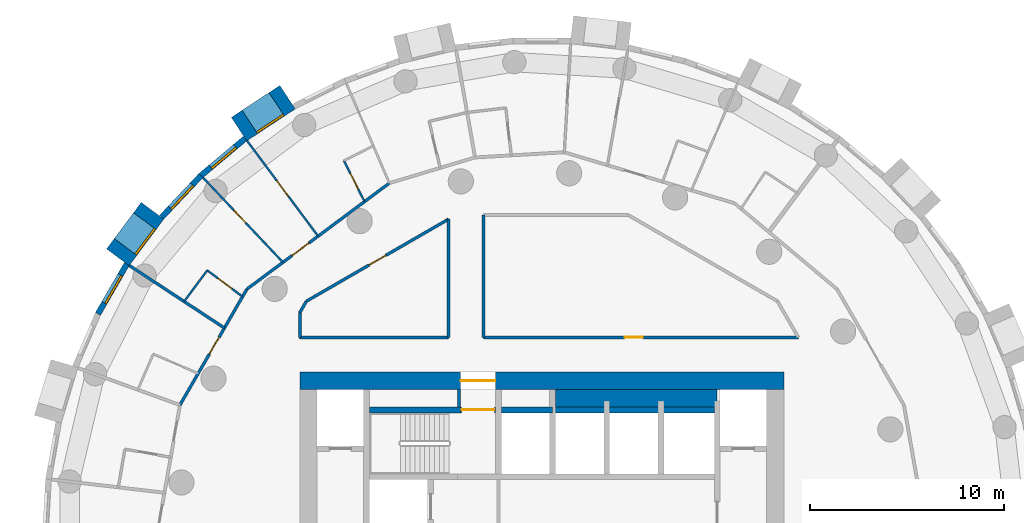
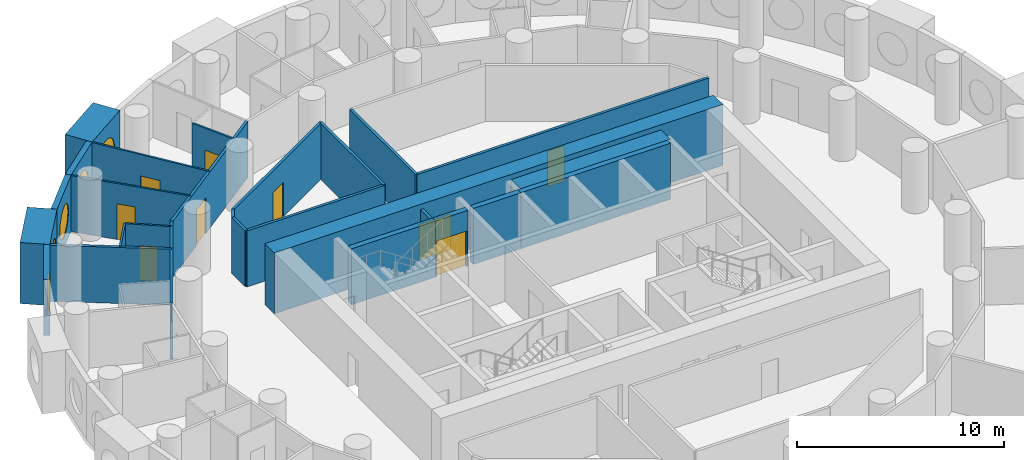
# One storey, part 6 of 10: 27 walls, 10 doors, 5 windows, 15 openings.
"""IFC4 building model written with IfcOpenShell, lengths in metres."""

from ifc_helpers import new_model, si_unit, direction, frame, frame_2d, origin, origin_2d, place, context, subcontext, project, spatial, rectangle, circle, extrude, material, layer, layer_set, type_object, element, fill, save


model = new_model("IFC4")

# Units and contexts
model_context = context("Model", 3, precision=1e-05, world=origin(), true_north=direction((0.0, 1.0)))
body_context = subcontext(model_context, "Body", "Model", "MODEL_VIEW")
ifc_project = project(units=[si_unit("LENGTHUNIT", "METRE"), si_unit("AREAUNIT", "SQUARE_METRE"), si_unit("VOLUMEUNIT", "CUBIC_METRE"), si_unit("PLANEANGLEUNIT", "RADIAN"), si_unit("MASSUNIT", "GRAM", prefix="KILO")], contexts=[model_context])

# Site, building, storey
site_placement = place(None, origin())
site = spatial("IfcSite", under=ifc_project, at=site_placement, CompositionType="ELEMENT")
building_placement = place(site_placement, origin())
building = spatial("IfcBuilding", under=site, at=building_placement, Name="Tracery Tower", CompositionType="ELEMENT")
storey_placement = place(building_placement, frame((0.0, 0.0, 144.0)))
storey = spatial("IfcBuildingStorey", under=building, at=storey_placement, Name="L36", CompositionType="ELEMENT", Elevation=144.0)

# Walls
ifc_material_1 = material(Name="Plasterboard on steel studs", Category="steel")
ifc_layer_1 = layer(ifc_material_1, 0.14990234375)
ifc_layer_set_1 = layer_set([ifc_layer_1], Name="Core room partition 150")
wall_type_1 = type_object("IfcWallType", Name="Core room partition 150", PredefinedType="SOLIDWALL", material=ifc_layer_set_1)
wall_1_placement = place(storey_placement, frame((-4.27490234375, 6.699951171875, 0.0), z_axis=(0.0, 0.0, 1.0), x_axis=(0.0, 1.0, 0.0)))
element("IfcWall", 1, at=wall_1_placement, inside=storey, type_object=wall_type_1, Name="L36 F N room", PredefinedType="SOLIDWALL", context=body_context, shape_type="SweptSolid", body=[
    extrude(rectangle(XDim=0.900146484375, YDim=0.14990234375, at=frame_2d((0.4501953125, 0.0))), origin(), (0.0, 0.0, 1.0), 3.300048828125),
])
ifc_material_2 = material(Name="Concrete C50/60", Category="concrete")
ifc_layer_2 = layer(ifc_material_2, 0.89990234375)
ifc_layer_set_2 = layer_set([ifc_layer_2], Name="Core strip wall 900 C50")
wall_type_2 = type_object("IfcWallType", Name="Core strip wall 900 C50", PredefinedType="SOLIDWALL", material=ifc_layer_set_2)
wall_2_placement = place(storey_placement, frame((0.699951171875, 7.14990234375, 0.0), z_axis=(0.0, 0.0, 1.0), x_axis=(1.0, 0.0, 0.0)))
element("IfcWall", 2, at=wall_2_placement, inside=storey, type_object=wall_type_2, Name="L36 F thick N E", PredefinedType="SOLIDWALL", context=body_context, shape_type="SweptSolid", body=[
    extrude(rectangle(XDim=8.35009765625, YDim=0.89990234375, at=frame_2d((4.175048828125, 0.0))), origin(), (0.0, 0.0, 1.0), 3.300048828125),
])

# Wall, opening, door
ifc_material_3 = material(Name="Concrete C50/60", Category="concrete")
ifc_layer_3 = layer(ifc_material_3, 0.89990234375)
ifc_layer_set_3 = layer_set([ifc_layer_3], Name="Core wall 900 C50")
wall_type_3 = type_object("IfcWallType", Name="Core wall 900 C50", PredefinedType="SOLIDWALL", material=ifc_layer_set_3)
wall_3_placement = place(storey_placement, frame((-12.5, 8.050048828125, 0.0), z_axis=(0.0, 0.0, 1.0), x_axis=(1.0, 0.0, 0.0)))
wall_3 = element("IfcWall", 3, at=wall_3_placement, inside=storey, type_object=wall_type_3, Name="L36 outer N", PredefinedType="SOLIDWALL", context=body_context, shape_type="SweptSolid", body=[
    extrude(rectangle(XDim=25.0, YDim=0.89990234375, at=frame_2d((12.5, 0.0))), origin(), (0.0, 0.0, 1.0), 3.60009765625),
])
opening_1_placement = place(wall_3_placement, frame((8.300048828125, 0.0, 0.0)))
opening_1 = element("IfcOpeningElement", 4, at=opening_1_placement, cuts=wall_3, Name="Opening KD13", PredefinedType="OPENING", context=body_context, shape_type="SweptSolid", body=[
    extrude(rectangle(XDim=1.800048828125, YDim=2.10009765625, at=frame_2d((0.89990234375, 1.050048828125))), frame((0.0, 0.449951171875, 0.0), z_axis=(0.0, -1.0, 0.0), x_axis=(1.0, 0.0, 0.0)), (0.0, 0.0, 1.0), 0.89990234375),
])
ifc_material_4 = material(Name="Steel fire door", Category="steel")
door_type_1 = type_object("IfcDoorType", Name="Core exit door 1800 double", OperationType="NOTDEFINED", PredefinedType="DOOR", material=ifc_material_4)
door_1_placement = place(opening_1_placement, origin())
door_1 = element("IfcDoor", 5, at=door_1_placement, inside=storey, type_object=door_type_1, Name="Core exit door", OperationType="DOUBLE_DOOR_SINGLE_SWING", OverallHeight=2.10009765625, OverallWidth=1.800048828125, PredefinedType="DOOR", context=body_context, shape_type="SweptSolid", body=[
    extrude(rectangle(XDim=1.800048828125, YDim=2.10009765625, at=frame_2d((0.89990234375, 1.050048828125))), frame((0.0, 0.02490234375, 0.0), z_axis=(0.0, -1.0, 0.0), x_axis=(1.0, 0.0, 0.0)), (0.0, 0.0, 1.0), 0.050048828125),
])
fill(opening_1, door_1)

# Wall, opening, window
ifc_material_5 = material(Name="Precast concrete C50/60", Category="concrete")
ifc_layer_4 = layer(ifc_material_5, 1.449951171875)
ifc_layer_set_4 = layer_set([ifc_layer_4], Name="Deep-set bay unit 3000 x 3600, slab edge 300")
wall_type_4 = type_object("IfcWallType", Name="Deep-set bay unit 3000 x 3600, slab edge 300", PredefinedType="ELEMENTEDWALL", material=ifc_layer_set_4)
wall_4_placement = place(storey_placement, frame((-13.13232421875, 22.696533203125, -0.300048828125), z_axis=(0.0, 0.0, 1.0), x_axis=(-0.835514416706, -0.549468524554, 0.0)))
wall_4 = element("IfcWall", 6, at=wall_4_placement, inside=storey, type_object=wall_type_4, Name="Deep-set bay unit 19 at L36", PredefinedType="ELEMENTEDWALL", context=body_context, shape_type="SweptSolid", body=[
    extrude(rectangle(XDim=3.0, YDim=1.449951171875, at=frame_2d((1.5, 0.0))), origin(), (0.0, 0.0, 1.0), 3.60009765625),
])
opening_2_placement = place(wall_4_placement, frame((1.5, 0.0, 1.85009765625)))
opening_2 = element("IfcOpeningElement", 7, at=opening_2_placement, cuts=wall_4, Name="Opening WN1", PredefinedType="OPENING", context=body_context, shape_type="SweptSolid", body=[
    extrude(circle(Radius=0.9000244140625, at=origin_2d()), frame((0.0, 0.73486328125, 0.0), z_axis=(0.0, -1.0, 0.0), x_axis=(1.0, 0.0, 0.0)), (0.0, 0.0, 1.0), 1.469970703125),
])
ifc_material_6 = material(Name="Aluminium frame with tinted double glazing", Category="aluminium")
window_type = type_object("IfcWindowType", Name="Round window 1800", PartitioningType="SINGLE_PANEL", PredefinedType="WINDOW", material=ifc_material_6)
window_1_placement = place(opening_2_placement, origin())
window_1 = element("IfcWindow", 8, at=window_1_placement, inside=storey, type_object=window_type, Name="Round window 19 at L36", OverallHeight=1.800048828125, OverallWidth=1.800048828125, PartitioningType="SINGLE_PANEL", PredefinedType="WINDOW", context=body_context, shape_type="SweptSolid", body=[
    extrude(circle(Radius=0.9000244140625, at=origin_2d()), frame((0.0, 0.69482421875, 0.0), z_axis=(0.0, -1.0, 0.0), x_axis=(1.0, 0.0, 0.0)), (0.0, 0.0, 1.0), 0.10009765625),
])
fill(opening_2, window_1)

wall_5_placement = place(storey_placement, frame((-20.10302734375, 16.836181640625, -0.300048828125), z_axis=(0.0, 0.0, 1.0), x_axis=(-0.597183717734, -0.802104486506, 0.0)))
wall_5 = element("IfcWall", 9, at=wall_5_placement, inside=storey, type_object=wall_type_4, Name="Deep-set bay unit 22 at L36", PredefinedType="ELEMENTEDWALL", context=body_context, shape_type="SweptSolid", body=[
    extrude(rectangle(XDim=3.0, YDim=1.449951171875, at=frame_2d((1.5, 0.0))), origin(), (0.0, 0.0, 1.0), 3.60009765625),
])
opening_3_placement = place(wall_5_placement, frame((1.5, 0.0, 1.85009765625)))
opening_3 = element("IfcOpeningElement", 10, at=opening_3_placement, cuts=wall_5, Name="Opening WN1", PredefinedType="OPENING", context=body_context, shape_type="SweptSolid", body=[
    extrude(circle(Radius=0.9000244140625, at=origin_2d()), frame((0.0, 0.73486328125, 0.0), z_axis=(0.0, -1.0, 0.0), x_axis=(1.0, 0.0, 0.0)), (0.0, 0.0, 1.0), 1.469970703125),
])
window_2_placement = place(opening_3_placement, origin())
window_2 = element("IfcWindow", 11, at=window_2_placement, inside=storey, type_object=window_type, Name="Round window 22 at L36", OverallHeight=1.800048828125, OverallWidth=1.800048828125, PartitioningType="SINGLE_PANEL", PredefinedType="WINDOW", context=body_context, shape_type="SweptSolid", body=[
    extrude(circle(Radius=0.9000244140625, at=origin_2d()), frame((0.0, 0.69482421875, 0.0), z_axis=(0.0, -1.0, 0.0), x_axis=(1.0, 0.0, 0.0)), (0.0, 0.0, 1.0), 0.10009765625),
])
fill(opening_3, window_2)

ifc_material_7 = material(Name="Precast concrete C50/60", Category="concrete")
ifc_layer_5 = layer(ifc_material_7, 0.300048828125)
ifc_layer_set_5 = layer_set([ifc_layer_5], Name="Facade panel 3000 x 3300")
wall_type_5 = type_object("IfcWallType", Name="Facade panel 3000 x 3300", PredefinedType="SOLIDWALL", material=ifc_layer_set_5)
wall_6_placement = place(storey_placement, frame((-15.322998046875, 20.566162109375, 0.0), z_axis=(0.0, 0.0, 1.0), x_axis=(-0.766049350637, -0.642781761089, 0.0)))
wall_6 = element("IfcWall", 12, at=wall_6_placement, inside=storey, type_object=wall_type_5, Name="Facade panel 20 at L36", PredefinedType="SOLIDWALL", context=body_context, shape_type="SweptSolid", body=[
    extrude(rectangle(XDim=2.972900390625, YDim=0.300048828125, at=frame_2d((1.486328125, 0.0))), origin(), (0.0, 0.0, 1.0), 3.300048828125),
])
opening_4_placement = place(wall_6_placement, frame((1.486328125, 0.0, 1.5498046875)))
opening_4 = element("IfcOpeningElement", 13, at=opening_4_placement, cuts=wall_6, Name="Opening WN1", PredefinedType="OPENING", context=body_context, shape_type="SweptSolid", body=[
    extrude(circle(Radius=0.9000244140625, at=origin_2d()), frame((0.0, 0.159912109375, 0.0), z_axis=(0.0, -1.0, 0.0), x_axis=(1.0, 0.0, 0.0)), (0.0, 0.0, 1.0), 0.320068359375),
])
window_3_placement = place(opening_4_placement, origin())
window_3 = element("IfcWindow", 14, at=window_3_placement, inside=storey, type_object=window_type, Name="Round window 20 at L36", OverallHeight=1.800048828125, OverallWidth=1.800048828125, PartitioningType="SINGLE_PANEL", PredefinedType="WINDOW", context=body_context, shape_type="SweptSolid", body=[
    extrude(circle(Radius=0.9000244140625, at=origin_2d()), frame((0.0, 0.1201171875, 0.0), z_axis=(0.0, -1.0, 0.0), x_axis=(1.0, 0.0, 0.0)), (0.0, 0.0, 1.0), 0.10009765625),
])
fill(opening_4, window_3)

wall_7_placement = place(storey_placement, frame((-17.600341796875, 18.6552734375, 0.0), z_axis=(0.0, 0.0, 1.0), x_axis=(-0.686235184166, -0.727379730273, 0.0)))
wall_7 = element("IfcWall", 15, at=wall_7_placement, inside=storey, type_object=wall_type_5, Name="Facade panel 21 at L36", PredefinedType="SOLIDWALL", context=body_context, shape_type="SweptSolid", body=[
    extrude(rectangle(XDim=2.972900390625, YDim=0.300048828125, at=frame_2d((1.486328125, 0.0))), origin(), (0.0, 0.0, 1.0), 3.300048828125),
])
opening_5_placement = place(wall_7_placement, frame((1.486328125, 0.0, 1.5498046875)))
opening_5 = element("IfcOpeningElement", 16, at=opening_5_placement, cuts=wall_7, Name="Opening WN1", PredefinedType="OPENING", context=body_context, shape_type="SweptSolid", body=[
    extrude(circle(Radius=0.9000244140625, at=origin_2d()), frame((0.0, 0.159912109375, 0.0), z_axis=(0.0, -1.0, 0.0), x_axis=(1.0, 0.0, 0.0)), (0.0, 0.0, 1.0), 0.320068359375),
])
window_4_placement = place(opening_5_placement, origin())
window_4 = element("IfcWindow", 17, at=window_4_placement, inside=storey, type_object=window_type, Name="Round window 21 at L36", OverallHeight=1.800048828125, OverallWidth=1.800048828125, PartitioningType="SINGLE_PANEL", PredefinedType="WINDOW", context=body_context, shape_type="SweptSolid", body=[
    extrude(circle(Radius=0.9000244140625, at=origin_2d()), frame((0.0, 0.1201171875, 0.0), z_axis=(0.0, -1.0, 0.0), x_axis=(1.0, 0.0, 0.0)), (0.0, 0.0, 1.0), 0.10009765625),
])
fill(opening_5, window_4)

wall_8_placement = place(storey_placement, frame((-21.432861328125, 14.085205078125, 0.0), z_axis=(0.0, 0.0, 1.0), x_axis=(-0.500016263033, -0.866016014115, 0.0)))
wall_8 = element("IfcWall", 18, at=wall_8_placement, inside=storey, type_object=wall_type_5, Name="Facade panel 23 at L36", PredefinedType="SOLIDWALL", context=body_context, shape_type="SweptSolid", body=[
    extrude(rectangle(XDim=2.97314453125, YDim=0.300048828125, at=frame_2d((1.486572265625, 0.0))), origin(), (0.0, 0.0, 1.0), 3.300048828125),
])
opening_6_placement = place(wall_8_placement, frame((1.486328125, 0.0, 1.5498046875)))
opening_6 = element("IfcOpeningElement", 19, at=opening_6_placement, cuts=wall_8, Name="Opening WN1", PredefinedType="OPENING", context=body_context, shape_type="SweptSolid", body=[
    extrude(circle(Radius=0.9000244140625, at=origin_2d()), frame((0.0, 0.159912109375, 0.0), z_axis=(0.0, -1.0, 0.0), x_axis=(1.0, 0.0, 0.0)), (0.0, 0.0, 1.0), 0.320068359375),
])
window_5_placement = place(opening_6_placement, origin())
window_5 = element("IfcWindow", 20, at=window_5_placement, inside=storey, type_object=window_type, Name="Round window 23 at L36", OverallHeight=1.800048828125, OverallWidth=1.800048828125, PartitioningType="SINGLE_PANEL", PredefinedType="WINDOW", context=body_context, shape_type="SweptSolid", body=[
    extrude(circle(Radius=0.9000244140625, at=origin_2d()), frame((0.0, 0.1201171875, 0.0), z_axis=(0.0, -1.0, 0.0), x_axis=(1.0, 0.0, 0.0)), (0.0, 0.0, 1.0), 0.10009765625),
])
fill(opening_6, window_5)

# Wall, opening, door
ifc_material_8 = material(Name="Plasterboard on steel studs", Category="steel")
ifc_layer_6 = layer(ifc_material_8, 0.10009765625)
ifc_layer_set_6 = layer_set([ifc_layer_6], Name="Partition 100 stud")
wall_type_6 = type_object("IfcWallType", Name="Partition 100 stud", PredefinedType="PARTITIONING", material=ifc_layer_set_6)
wall_9_placement = place(storey_placement, frame((-15.22607421875, 20.451904296875, 0.0), z_axis=(0.0, 0.0, 1.0), x_axis=(0.597155230642, -0.802125694961, 0.0)))
wall_9 = element("IfcWall", 21, at=wall_9_placement, inside=storey, type_object=wall_type_6, Name="Stud partition RB2-053", PredefinedType="PARTITIONING", context=body_context, shape_type="SweptSolid", body=[
    extrude(rectangle(XDim=6.14599609375, YDim=0.10009765625, at=frame_2d((3.072998046875, 0.0))), origin(), (0.0, 0.0, 1.0), 3.300048828125),
])
opening_7_placement = place(wall_9_placement, frame((2.572998046875, 0.0, 0.0)))
opening_7 = element("IfcOpeningElement", 22, at=opening_7_placement, cuts=wall_9, Name="Opening RB2-14", PredefinedType="OPENING", context=body_context, shape_type="SweptSolid", body=[
    extrude(rectangle(XDim=1.0, YDim=2.0400390625, at=frame_2d((0.5, 1.02001953125))), frame((0.0, 0.050048828125, 0.0), z_axis=(0.0, -1.0, 0.0), x_axis=(1.0, 0.0, 0.0)), (0.0, 0.0, 1.0), 0.10009765625),
])
ifc_material_9 = material(Name="Timber door leaf", Category="wood")
door_type_2 = type_object("IfcDoorType", Name="Door communal room 1000", OperationType="NOTDEFINED", PredefinedType="DOOR", material=ifc_material_9)
door_2_placement = place(opening_7_placement, origin())
door_2 = element("IfcDoor", 23, at=door_2_placement, inside=storey, type_object=door_type_2, Name="Communal room door RB2-14", OperationType="SINGLE_SWING_LEFT", OverallHeight=2.0400390625, OverallWidth=1.0, PredefinedType="DOOR", context=body_context, shape_type="SweptSolid", body=[
    extrude(rectangle(XDim=1.0, YDim=2.0400390625, at=frame_2d((0.5, 1.02001953125))), frame((0.0, 0.02490234375, 0.0), z_axis=(0.0, -1.0, 0.0), x_axis=(1.0, 0.0, 0.0)), (0.0, 0.0, 1.0), 0.050048828125),
])
fill(opening_7, door_2)

wall_10_placement = place(storey_placement, frame((-17.4970703125, 18.5458984375, 0.0), z_axis=(0.0, 0.0, 1.0), x_axis=(0.68628608304, -0.72733170715, 0.0)))
wall_10 = element("IfcWall", 24, at=wall_10_placement, inside=storey, type_object=wall_type_6, Name="Stud partition RB2-057", PredefinedType="PARTITIONING", context=body_context, shape_type="SweptSolid", body=[
    extrude(rectangle(XDim=6.013427734375, YDim=0.10009765625, at=frame_2d((3.0068359375, 0.0))), origin(), (0.0, 0.0, 1.0), 3.300048828125),
])
opening_8_placement = place(wall_10_placement, frame((2.32080078125, 0.0, 0.0)))
opening_8 = element("IfcOpeningElement", 25, at=opening_8_placement, cuts=wall_10, Name="Opening RB2-18", PredefinedType="OPENING", context=body_context, shape_type="SweptSolid", body=[
    extrude(rectangle(XDim=0.89990234375, YDim=2.10009765625, at=frame_2d((0.449951171875, 1.050048828125))), frame((0.0, 0.050048828125, 0.0), z_axis=(0.0, -1.0, 0.0), x_axis=(1.0, 0.0, 0.0)), (0.0, 0.0, 1.0), 0.10009765625),
])
ifc_material_10 = material(Name="Timber door leaf", Category="wood")
door_type_3 = type_object("IfcDoorType", Name="Door bedroom 900", OperationType="NOTDEFINED", PredefinedType="DOOR", material=ifc_material_10)
door_3_placement = place(opening_8_placement, origin())
door_3 = element("IfcDoor", 26, at=door_3_placement, inside=storey, type_object=door_type_3, Name="Bedroom door RB2-18", OperationType="SINGLE_SWING_RIGHT", OverallHeight=2.10009765625, OverallWidth=0.89990234375, PredefinedType="DOOR", context=body_context, shape_type="SweptSolid", body=[
    extrude(rectangle(XDim=0.89990234375, YDim=2.10009765625, at=frame_2d((0.449951171875, 1.050048828125))), frame((0.0, 0.02490234375, 0.0), z_axis=(0.0, -1.0, 0.0), x_axis=(1.0, 0.0, 0.0)), (0.0, 0.0, 1.0), 0.050048828125),
])
fill(opening_8, door_3)

ifc_material_11 = material(Name="Plasterboard on steel studs", Category="steel")
ifc_layer_7 = layer(ifc_material_11, 0.10009765625)
ifc_layer_set_7 = layer_set([ifc_layer_7], Name="Partition 100 wet wall")
wall_type_7 = type_object("IfcWallType", Name="Partition 100 wet wall", PredefinedType="PARTITIONING", material=ifc_layer_set_7)
wall_11_placement = place(storey_placement, frame((-10.221923828125, 19.423095703125, 0.0), z_axis=(0.0, 0.0, 1.0), x_axis=(0.448862306063, -0.893600934532, 0.0)))
wall_11 = element("IfcWall", 27, at=wall_11_placement, inside=storey, type_object=wall_type_7, Name="Wet wall RB2-055", PredefinedType="PARTITIONING", context=body_context, shape_type="SweptSolid", body=[
    extrude(rectangle(XDim=2.3681640625, YDim=0.10009765625, at=frame_2d((1.18408203125, 0.0))), origin(), (0.0, 0.0, 1.0), 3.300048828125),
])
opening_9_placement = place(wall_11_placement, frame((0.73388671875, 0.0, 0.0)))
opening_9 = element("IfcOpeningElement", 28, at=opening_9_placement, cuts=wall_11, Name="Opening RB2-15", PredefinedType="OPENING", context=body_context, shape_type="SweptSolid", body=[
    extrude(rectangle(XDim=0.89990234375, YDim=2.0, at=frame_2d((0.449951171875, 1.0))), frame((0.0, 0.050048828125, 0.0), z_axis=(0.0, -1.0, 0.0), x_axis=(1.0, 0.0, 0.0)), (0.0, 0.0, 1.0), 0.10009765625),
])
ifc_material_12 = material(Name="Timber door leaf", Category="wood")
door_type_4 = type_object("IfcDoorType", Name="Door shower room 900", OperationType="NOTDEFINED", PredefinedType="DOOR", material=ifc_material_12)
door_4_placement = place(opening_9_placement, origin())
door_4 = element("IfcDoor", 29, at=door_4_placement, inside=storey, type_object=door_type_4, Name="Shower room door RB2-15", OperationType="SINGLE_SWING_LEFT", OverallHeight=2.0, OverallWidth=0.89990234375, PredefinedType="DOOR", context=body_context, shape_type="SweptSolid", body=[
    extrude(rectangle(XDim=0.89990234375, YDim=2.0, at=frame_2d((0.449951171875, 1.0))), frame((0.0, 0.02490234375, 0.0), z_axis=(0.0, -1.0, 0.0), x_axis=(1.0, 0.0, 0.0)), (0.0, 0.0, 1.0), 0.050048828125),
])
fill(opening_9, door_4)

wall_12_placement = place(storey_placement, frame((-17.278076171875, 13.757080078125, 0.0), z_axis=(0.0, 0.0, 1.0), x_axis=(0.802174554185, -0.597089595135, 0.0)))
wall_12 = element("IfcWall", 30, at=wall_12_placement, inside=storey, type_object=wall_type_7, Name="Wet wall RB2-061", PredefinedType="PARTITIONING", context=body_context, shape_type="SweptSolid", body=[
    extrude(rectangle(XDim=2.271240234375, YDim=0.10009765625, at=frame_2d((1.1357421875, 0.0))), origin(), (0.0, 0.0, 1.0), 3.300048828125),
])
opening_10_placement = place(wall_12_placement, frame((0.685302734375, 0.0, 0.0)))
opening_10 = element("IfcOpeningElement", 31, at=opening_10_placement, cuts=wall_12, Name="Opening RB2-19", PredefinedType="OPENING", context=body_context, shape_type="SweptSolid", body=[
    extrude(rectangle(XDim=0.89990234375, YDim=2.0400390625, at=frame_2d((0.449951171875, 1.02001953125))), frame((0.0, 0.050048828125, 0.0), z_axis=(0.0, -1.0, 0.0), x_axis=(1.0, 0.0, 0.0)), (0.0, 0.0, 1.0), 0.10009765625),
])
ifc_material_13 = material(Name="Timber door leaf", Category="wood")
door_type_5 = type_object("IfcDoorType", Name="Door en-suite 900", OperationType="NOTDEFINED", PredefinedType="DOOR", material=ifc_material_13)
door_5_placement = place(opening_10_placement, origin())
door_5 = element("IfcDoor", 32, at=door_5_placement, inside=storey, type_object=door_type_5, Name="En-suite door RB2-19", OperationType="SINGLE_SWING_RIGHT", OverallHeight=2.0400390625, OverallWidth=0.89990234375, PredefinedType="DOOR", context=body_context, shape_type="SweptSolid", body=[
    extrude(rectangle(XDim=0.89990234375, YDim=2.0400390625, at=frame_2d((0.449951171875, 1.02001953125))), frame((0.0, 0.02490234375, 0.0), z_axis=(0.0, -1.0, 0.0), x_axis=(1.0, 0.0, 0.0)), (0.0, 0.0, 1.0), 0.050048828125),
])
fill(opening_10, door_5)

# Walls
wall_13_placement = place(storey_placement, frame((-18.47412109375, 12.15087890625, 0.0), z_axis=(0.0, 0.0, 1.0), x_axis=(0.597246123016, 0.802058020683, 0.0)))
element("IfcWall", 33, at=wall_13_placement, inside=storey, type_object=wall_type_7, Name="Wet wall RB2-062", PredefinedType="PARTITIONING", context=body_context, shape_type="SweptSolid", body=[
    extrude(rectangle(XDim=2.002685546875, YDim=0.10009765625, at=frame_2d((1.00146484375, 0.0))), origin(), (0.0, 0.0, 1.0), 3.300048828125),
])
ifc_material_14 = material(Name="Plasterboard on steel studs", Category="steel")
ifc_layer_8 = layer(ifc_material_14, 0.14990234375)
ifc_layer_set_8 = layer_set([ifc_layer_8], Name="Partition 150 acoustic unit wall")
wall_type_8 = type_object("IfcWallType", Name="Partition 150 acoustic unit wall", PredefinedType="PARTITIONING", material=ifc_layer_set_8)
wall_14_placement = place(storey_placement, frame((-21.302978515625, 14.010986328125, 0.0), z_axis=(0.0, 0.0, 1.0), x_axis=(0.835566588395, -0.549389184785, 0.0)))
element("IfcWall", 34, at=wall_14_placement, inside=storey, type_object=wall_type_8, Name="Unit wall RB2-063", PredefinedType="PARTITIONING", context=body_context, shape_type="SweptSolid", body=[
    extrude(rectangle(XDim=5.878662109375, YDim=0.14990234375, at=frame_2d((2.939453125, 0.0))), origin(), (0.0, 0.0, 1.0), 3.300048828125),
])
ifc_material_15 = material(Name="Plasterboard on steel studs", Category="steel")
ifc_layer_9 = layer(ifc_material_15, 0.14990234375)
ifc_layer_set_9 = layer_set([ifc_layer_9], Name="Partition 150 corridor wall")
wall_type_9 = type_object("IfcWallType", Name="Partition 150 corridor wall", PredefinedType="PARTITIONING", material=ifc_layer_set_9)
wall_15_placement = place(storey_placement, frame((-12.50390625, 10.300048828125, 0.0), z_axis=(0.0, 0.0, 1.0), x_axis=(1.0, 0.0, 0.0)))
element("IfcWall", 35, at=wall_15_placement, inside=storey, type_object=wall_type_9, Name="Corridor wall RB2-001", PredefinedType="PARTITIONING", context=body_context, shape_type="SweptSolid", body=[
    extrude(rectangle(XDim=7.68701171875, YDim=0.14990234375, at=frame_2d((3.843505859375, 0.0))), origin(), (0.0, 0.0, 1.0), 3.300048828125),
])

# Wall, opening, door
wall_16_placement = place(storey_placement, frame((-3.02490234375, 10.300048828125, 0.0), z_axis=(0.0, 0.0, 1.0), x_axis=(1.0, 0.0, 0.0)))
wall_16 = element("IfcWall", 36, at=wall_16_placement, inside=storey, type_object=wall_type_9, Name="Corridor wall RB2-002", PredefinedType="PARTITIONING", context=body_context, shape_type="SweptSolid", body=[
    extrude(rectangle(XDim=16.261962890625, YDim=0.14990234375, at=frame_2d((8.130859375, 0.0))), origin(), (0.0, 0.0, 1.0), 3.300048828125),
])
opening_11_placement = place(wall_16_placement, frame((7.2880859375, 0.0, 0.0)))
opening_11 = element("IfcOpeningElement", 37, at=opening_11_placement, cuts=wall_16, Name="Opening RB2-02", PredefinedType="OPENING", context=body_context, shape_type="SweptSolid", body=[
    extrude(rectangle(XDim=0.949951171875, YDim=2.10009765625, at=frame_2d((0.47509765625, 1.050048828125))), frame((0.0, 0.074951171875, 0.0), z_axis=(0.0, -1.0, 0.0), x_axis=(1.0, 0.0, 0.0)), (0.0, 0.0, 1.0), 0.14990234375),
])
ifc_material_16 = material(Name="Timber door leaf", Category="wood")
door_type_6 = type_object("IfcDoorType", Name="Door store 950", OperationType="NOTDEFINED", PredefinedType="DOOR", material=ifc_material_16)
door_6_placement = place(opening_11_placement, origin())
door_6 = element("IfcDoor", 38, at=door_6_placement, inside=storey, type_object=door_type_6, Name="Store door RB2-02", OperationType="SINGLE_SWING_RIGHT", OverallHeight=2.10009765625, OverallWidth=0.949951171875, PredefinedType="DOOR", context=body_context, shape_type="SweptSolid", body=[
    extrude(rectangle(XDim=0.949951171875, YDim=2.10009765625, at=frame_2d((0.47509765625, 1.050048828125))), frame((0.0, 0.02490234375, 0.0), z_axis=(0.0, -1.0, 0.0), x_axis=(1.0, 0.0, 0.0)), (0.0, 0.0, 1.0), 0.050048828125),
])
fill(opening_11, door_6)

# Wall
wall_17_placement = place(storey_placement, frame((-4.821044921875, 10.300048828125, 0.0), z_axis=(0.0, 0.0, 1.0), x_axis=(0.0, 1.0, 0.0)))
element("IfcWall", 39, at=wall_17_placement, inside=storey, type_object=wall_type_9, Name="Corridor wall RB2-013", PredefinedType="PARTITIONING", context=body_context, shape_type="SweptSolid", body=[
    extrude(rectangle(XDim=6.100830078125, YDim=0.14990234375, at=frame_2d((3.05029296875, 0.0))), origin(), (0.0, 0.0, 1.0), 3.300048828125),
])

# Wall, opening, door
wall_18_placement = place(storey_placement, frame((-12.162109375, 12.162109375, 0.0), z_axis=(0.0, 0.0, 1.0), x_axis=(0.866004766557, 0.500035743023, 0.0)))
wall_18 = element("IfcWall", 40, at=wall_18_placement, inside=storey, type_object=wall_type_9, Name="Corridor wall RB2-014", PredefinedType="PARTITIONING", context=body_context, shape_type="SweptSolid", body=[
    extrude(rectangle(XDim=8.47705078125, YDim=0.14990234375, at=frame_2d((4.238525390625, 0.0))), origin(), (0.0, 0.0, 1.0), 3.300048828125),
])
opening_12_placement = place(wall_18_placement, frame((3.739013671875, 0.0, 0.0)))
opening_12 = element("IfcOpeningElement", 41, at=opening_12_placement, cuts=wall_18, Name="Opening RB2-01", PredefinedType="OPENING", context=body_context, shape_type="SweptSolid", body=[
    extrude(rectangle(XDim=1.0, YDim=2.0400390625, at=frame_2d((0.5, 1.02001953125))), frame((0.0, 0.074951171875, 0.0), z_axis=(0.0, -1.0, 0.0), x_axis=(1.0, 0.0, 0.0)), (0.0, 0.0, 1.0), 0.14990234375),
])
door_7_placement = place(opening_12_placement, origin())
door_7 = element("IfcDoor", 42, at=door_7_placement, inside=storey, type_object=door_type_2, Name="Communal room door RB2-01", OperationType="SINGLE_SWING_LEFT", OverallHeight=2.0400390625, OverallWidth=1.0, PredefinedType="DOOR", context=body_context, shape_type="SweptSolid", body=[
    extrude(rectangle(XDim=1.0, YDim=2.0400390625, at=frame_2d((0.5, 1.02001953125))), frame((0.0, 0.02490234375, 0.0), z_axis=(0.0, -1.0, 0.0), x_axis=(1.0, 0.0, 0.0)), (0.0, 0.0, 1.0), 0.050048828125),
])
fill(opening_12, door_7)

# Wall
wall_19_placement = place(storey_placement, frame((-3.02099609375, 10.300048828125, 0.0), z_axis=(0.0, 0.0, 1.0), x_axis=(0.0, 1.0, 0.0)))
element("IfcWall", 43, at=wall_19_placement, inside=storey, type_object=wall_type_9, Name="Corridor wall RB2-017", PredefinedType="PARTITIONING", context=body_context, shape_type="SweptSolid", body=[
    extrude(rectangle(XDim=6.31396484375, YDim=0.14990234375, at=frame_2d((3.156982421875, 0.0))), origin(), (0.0, 0.0, 1.0), 3.300048828125),
])

# Wall, opening, door
wall_20_placement = place(storey_placement, frame((-15.235107421875, 12.7841796875, 0.0), z_axis=(0.0, 0.0, 1.0), x_axis=(0.802226995744, 0.597019134785, 0.0)))
wall_20 = element("IfcWall", 44, at=wall_20_placement, inside=storey, type_object=wall_type_9, Name="Corridor wall RB2-020", PredefinedType="PARTITIONING", context=body_context, shape_type="SweptSolid", body=[
    extrude(rectangle(XDim=9.1728515625, YDim=0.14990234375, at=frame_2d((4.58642578125, 0.0))), origin(), (0.0, 0.0, 1.0), 3.300048828125),
])
opening_13_placement = place(wall_20_placement, frame((2.905517578125, 0.0, 0.0)))
opening_13 = element("IfcOpeningElement", 45, at=opening_13_placement, cuts=wall_20, Name="Opening RB2-13", PredefinedType="OPENING", context=body_context, shape_type="SweptSolid", body=[
    extrude(rectangle(XDim=1.10009765625, YDim=2.10009765625, at=frame_2d((0.550048828125, 1.050048828125))), frame((0.0, 0.074951171875, 0.0), z_axis=(0.0, -1.0, 0.0), x_axis=(1.0, 0.0, 0.0)), (0.0, 0.0, 1.0), 0.14990234375),
])
ifc_material_17 = material(Name="Timber door leaf", Category="wood")
door_type_7 = type_object("IfcDoorType", Name="Door cluster entrance 1100", OperationType="NOTDEFINED", PredefinedType="DOOR", material=ifc_material_17)
door_8_placement = place(opening_13_placement, origin())
door_8 = element("IfcDoor", 46, at=door_8_placement, inside=storey, type_object=door_type_7, Name="Cluster entrance door RB2-13", OperationType="SINGLE_SWING_RIGHT", OverallHeight=2.10009765625, OverallWidth=1.10009765625, PredefinedType="DOOR", context=body_context, shape_type="SweptSolid", body=[
    extrude(rectangle(XDim=1.10009765625, YDim=2.10009765625, at=frame_2d((0.550048828125, 1.050048828125))), frame((0.0, 0.02490234375, 0.0), z_axis=(0.0, -1.0, 0.0), x_axis=(1.0, 0.0, 0.0)), (0.0, 0.0, 1.0), 0.050048828125),
])
fill(opening_13, door_8)

# Walls
wall_21_placement = place(storey_placement, frame((-12.5, 11.576904296875, 0.0), z_axis=(0.0, 0.0, 1.0), x_axis=(0.500024767483, 0.866011103799, 0.0)))
element("IfcWall", 47, at=wall_21_placement, inside=storey, type_object=wall_type_9, Name="Corridor wall RB2-022", PredefinedType="PARTITIONING", context=body_context, shape_type="SweptSolid", body=[
    extrude(rectangle(XDim=0.67578125, YDim=0.14990234375, at=frame_2d((0.337890625, 0.0))), origin(), (0.0, 0.0, 1.0), 3.300048828125),
])
wall_22_placement = place(storey_placement, frame((-12.5, 10.300048828125, 0.0), z_axis=(0.0, 0.0, 1.0), x_axis=(0.0, 1.0, 0.0)))
element("IfcWall", 48, at=wall_22_placement, inside=storey, type_object=wall_type_9, Name="Corridor wall RB2-023", PredefinedType="PARTITIONING", context=body_context, shape_type="SweptSolid", body=[
    extrude(rectangle(XDim=1.27685546875, YDim=0.14990234375, at=frame_2d((0.638427734375, 0.0))), origin(), (0.0, 0.0, 1.0), 3.300048828125),
])

# Wall, opening, door
wall_23_placement = place(storey_placement, frame((-18.690185546875, 6.80322265625, 0.0), z_axis=(0.0, 0.0, 1.0), x_axis=(0.500229307554, 0.865892972523, 0.0)))
wall_23 = element("IfcWall", 49, at=wall_23_placement, inside=storey, type_object=wall_type_9, Name="Corridor wall RB2-026", PredefinedType="PARTITIONING", context=body_context, shape_type="SweptSolid", body=[
    extrude(rectangle(XDim=6.906982421875, YDim=0.14990234375, at=frame_2d((3.45361328125, 0.0))), origin(), (0.0, 0.0, 1.0), 3.300048828125),
])
opening_14_placement = place(wall_23_placement, frame((3.0400390625, 0.0, 0.0)))
opening_14 = element("IfcOpeningElement", 50, at=opening_14_placement, cuts=wall_23, Name="Opening RB2-21", PredefinedType="OPENING", context=body_context, shape_type="SweptSolid", body=[
    extrude(rectangle(XDim=1.0, YDim=2.10009765625, at=frame_2d((0.5, 1.050048828125))), frame((0.0, 0.074951171875, 0.0), z_axis=(0.0, -1.0, 0.0), x_axis=(1.0, 0.0, 0.0)), (0.0, 0.0, 1.0), 0.14990234375),
])
ifc_material_18 = material(Name="Timber door leaf", Category="wood")
door_type_8 = type_object("IfcDoorType", Name="Door unit entrance 1000", OperationType="NOTDEFINED", PredefinedType="DOOR", material=ifc_material_18)
door_9_placement = place(opening_14_placement, origin())
door_9 = element("IfcDoor", 51, at=door_9_placement, inside=storey, type_object=door_type_8, Name="Unit entrance door RB2-21", OperationType="SINGLE_SWING_RIGHT", OverallHeight=2.10009765625, OverallWidth=1.0, PredefinedType="DOOR", context=body_context, shape_type="SweptSolid", body=[
    extrude(rectangle(XDim=1.0, YDim=2.10009765625, at=frame_2d((0.5, 1.050048828125))), frame((0.0, 0.02490234375, 0.0), z_axis=(0.0, -1.0, 0.0), x_axis=(1.0, 0.0, 0.0)), (0.0, 0.0, 1.0), 0.050048828125),
])
fill(opening_14, door_9)

# Wall
ifc_material_19 = material(Name="Concrete C50/60", Category="concrete")
ifc_layer_10 = layer(ifc_material_19, 0.300048828125)
ifc_layer_set_10 = layer_set([ifc_layer_10], Name="Stair wall 300 C50")
wall_type_10 = type_object("IfcWallType", Name="Stair wall 300 C50", PredefinedType="SOLIDWALL", material=ifc_layer_set_10)
wall_24_placement = place(storey_placement, frame((-8.89990234375, 6.550048828125, 0.0), z_axis=(0.0, 0.0, 1.0), x_axis=(1.0, 0.0, 0.0)))
element("IfcWall", 52, at=wall_24_placement, inside=storey, type_object=wall_type_10, Name="L36 F N W", PredefinedType="SOLIDWALL", context=body_context, shape_type="SweptSolid", body=[
    extrude(rectangle(XDim=4.699951171875, YDim=0.300048828125, at=frame_2d((2.35009765625, 0.0))), origin(), (0.0, 0.0, 1.0), 3.300048828125),
])

# Wall, opening, door
wall_25_placement = place(storey_placement, frame((-4.199951171875, 6.550048828125, 0.0), z_axis=(0.0, 0.0, 1.0), x_axis=(1.0, 0.0, 0.0)))
wall_25 = element("IfcWall", 53, at=wall_25_placement, inside=storey, type_object=wall_type_10, Name="L36 F stair N", PredefinedType="SOLIDWALL", context=body_context, shape_type="SweptSolid", body=[
    extrude(rectangle(XDim=1.800048828125, YDim=0.300048828125, at=frame_2d((0.89990234375, 0.0))), origin(), (0.0, 0.0, 1.0), 3.300048828125),
])
opening_15_placement = place(wall_25_placement, frame((0.050048828125, 0.0, 0.0)))
opening_15 = element("IfcOpeningElement", 54, at=opening_15_placement, cuts=wall_25, Name="Opening KD3", PredefinedType="OPENING", context=body_context, shape_type="SweptSolid", body=[
    extrude(rectangle(XDim=1.699951171875, YDim=2.10009765625, at=frame_2d((0.85009765625, 1.050048828125))), frame((0.0, 0.14990234375, 0.0), z_axis=(0.0, -1.0, 0.0), x_axis=(1.0, 0.0, 0.0)), (0.0, 0.0, 1.0), 0.300048828125),
])
ifc_material_20 = material(Name="Steel fire door", Category="steel")
door_type_9 = type_object("IfcDoorType", Name="Core stair door 1700 double", OperationType="NOTDEFINED", PredefinedType="DOOR", material=ifc_material_20)
door_10_placement = place(opening_15_placement, origin())
door_10 = element("IfcDoor", 55, at=door_10_placement, inside=storey, type_object=door_type_9, Name="Stair door vest", OperationType="DOUBLE_DOOR_SINGLE_SWING", OverallHeight=2.10009765625, OverallWidth=1.699951171875, PredefinedType="DOOR", context=body_context, shape_type="SweptSolid", body=[
    extrude(rectangle(XDim=1.699951171875, YDim=2.10009765625, at=frame_2d((0.85009765625, 1.050048828125))), frame((0.0, 0.02490234375, 0.0), z_axis=(0.0, -1.0, 0.0), x_axis=(1.0, 0.0, 0.0)), (0.0, 0.0, 1.0), 0.050048828125),
])
fill(opening_15, door_10)

# Walls
wall_26_placement = place(storey_placement, frame((-2.10009765625, 6.550048828125, 0.0), z_axis=(0.0, 0.0, 1.0), x_axis=(1.0, 0.0, 0.0)))
element("IfcWall", 56, at=wall_26_placement, inside=storey, type_object=wall_type_10, Name="L36 F N E1", PredefinedType="SOLIDWALL", context=body_context, shape_type="SweptSolid", body=[
    extrude(rectangle(XDim=2.650146484375, YDim=0.300048828125, at=frame_2d((1.3251953125, 0.0))), origin(), (0.0, 0.0, 1.0), 3.300048828125),
])
wall_27_placement = place(storey_placement, frame((0.550048828125, 6.550048828125, 0.0), z_axis=(0.0, 0.0, 1.0), x_axis=(1.0, 0.0, 0.0)))
element("IfcWall", 57, at=wall_27_placement, inside=storey, type_object=wall_type_10, Name="L36 F stair strip N E", PredefinedType="SOLIDWALL", context=body_context, shape_type="SweptSolid", body=[
    extrude(rectangle(XDim=8.349853515625, YDim=0.300048828125, at=frame_2d((4.1748046875, 0.0))), origin(), (0.0, 0.0, 1.0), 3.300048828125),
])

save(model, "model.ifc")
